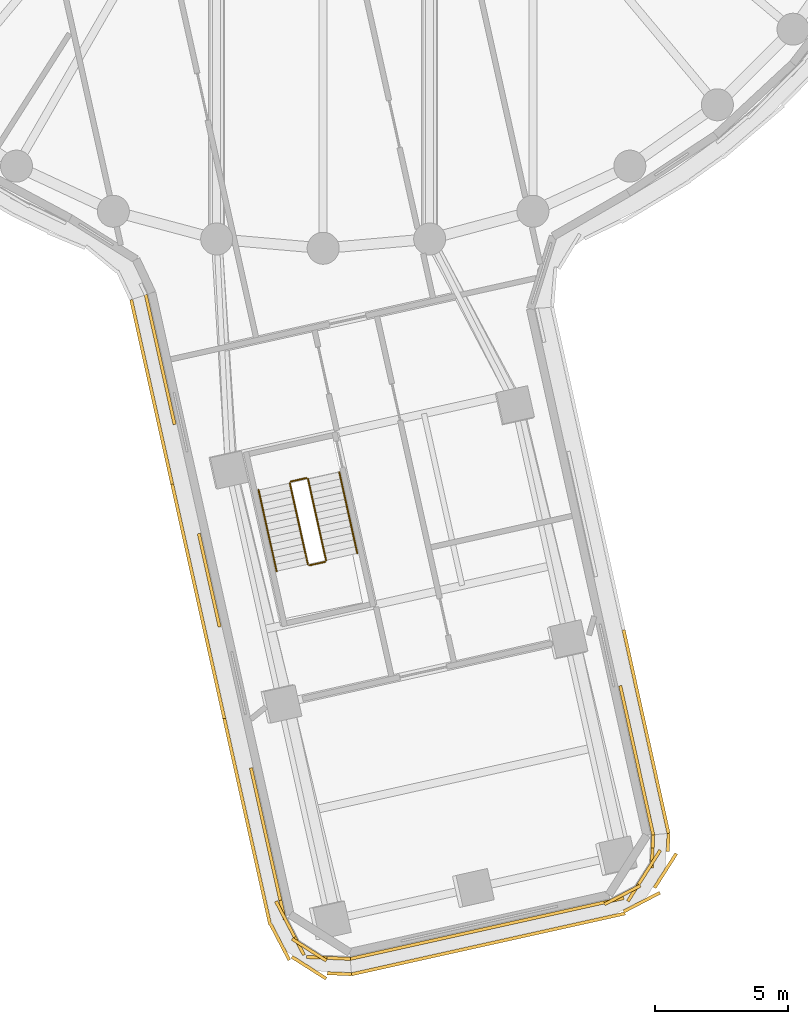
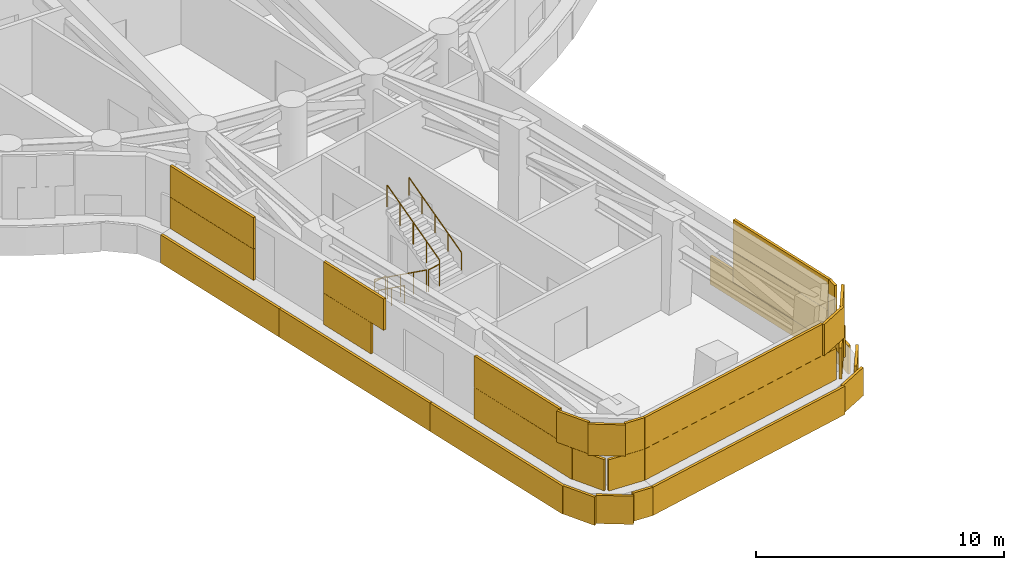
# One storey, part 16 of 22: 6 railings, 5 coverings.
"""IFC4 building model written with IfcOpenShell, lengths in metres."""

from ifc_helpers import new_model, si_unit, direction, frame, origin, origin_2d, place, context, subcontext, project, spatial, rectangle, circle, extrude, material, layer, layer_set, type_object, element, save


model = new_model("IFC4")

# Units and contexts
model_context = context("Model", 3, precision=1e-05, world=origin(), true_north=direction((0.0, 1.0)))
body_context = subcontext(model_context, "Body", "Model", "MODEL_VIEW")
ifc_project = project(units=[si_unit("LENGTHUNIT", "METRE"), si_unit("AREAUNIT", "SQUARE_METRE"), si_unit("VOLUMEUNIT", "CUBIC_METRE"), si_unit("PLANEANGLEUNIT", "RADIAN"), si_unit("MASSUNIT", "GRAM", prefix="KILO")], contexts=[model_context])

# Site, building, storey
site_placement = place(None, origin())
site = spatial("IfcSite", under=ifc_project, at=site_placement, CompositionType="ELEMENT")
building_placement = place(site_placement, origin())
building = spatial("IfcBuilding", under=site, at=building_placement, Name="Tamarind Cross Interchange Tower", CompositionType="ELEMENT")
storey_placement = place(building_placement, frame((0.0, 0.0, 79.0)))
storey = spatial("IfcBuildingStorey", under=building, at=storey_placement, Name="L18", CompositionType="ELEMENT", Elevation=79.0)

# Railings
ifc_material_1 = material(Name="Stair guard")
railing_type_1 = type_object("IfcRailingType", Name="Stair guard", PredefinedType="GUARDRAIL", material=ifc_material_1)
railing_1_placement = place(storey_placement, frame((-1.251220703125, -31.805419921875, 0.173095703125)))
element("IfcRailing", 1, at=railing_1_placement, inside=storey, type_object=railing_type_1, Name="L18 ST6 stair guard 1", PredefinedType="GUARDRAIL", context=body_context, shape_type="SweptSolid", body=[
    extrude(circle(Radius=0.02392578125, at=origin_2d()), frame((0.0, 0.0, 1.076171875), z_axis=(0.180690828356, -0.812587629324, 0.554122882778), x_axis=(0.976157592696, 0.217063019009, 0.0)), (0.0, 0.0, 1.0), 3.748046875),
    extrude(circle(Radius=0.02099609375, at=origin_2d()), origin(), (0.0, 0.0, 1.0), 1.052001953125),
    extrude(circle(Radius=0.02099609375, at=origin_2d()), frame((0.16943359375, -0.761474609375, 0.519287109375)), (0.0, 0.0, 1.0), 1.052001953125),
    extrude(circle(Radius=0.02099609375, at=origin_2d()), frame((0.338623046875, -1.52294921875, 1.03857421875)), (0.0, 0.0, 1.0), 1.052001953125),
    extrude(circle(Radius=0.02099609375, at=origin_2d()), frame((0.5078125, -2.2841796875, 1.5576171875)), (0.0, 0.0, 1.0), 1.052001953125),
    extrude(circle(Radius=0.02099609375, at=origin_2d()), frame((0.67724609375, -3.045654296875, 2.076904296875)), (0.0, 0.0, 1.0), 1.052001953125),
])
railing_2_placement = place(storey_placement, frame((-0.514404296875, -34.888916015625, 2.25)))
element("IfcRailing", 2, at=railing_2_placement, inside=storey, type_object=railing_type_1, Name="L18 ST6 stair guard 2", PredefinedType="GUARDRAIL", context=body_context, shape_type="SweptSolid", body=[
    extrude(circle(Radius=0.02392578125, at=origin_2d()), frame((0.0, 0.0, 1.076171875), z_axis=(0.976196633778, 0.216887372157, 0.0), x_axis=(-0.216887372157, 0.976196633778, 0.0)), (0.0, 0.0, 1.0), 0.599853515625),
    extrude(circle(Radius=0.02099609375, at=origin_2d()), origin(), (0.0, 0.0, 1.0), 1.052001953125),
    extrude(circle(Radius=0.02099609375, at=origin_2d()), frame((0.585693359375, 0.130126953125, 0.0)), (0.0, 0.0, 1.0), 1.052001953125),
])
railing_3_placement = place(storey_placement, frame((0.109375, -34.698974609375, 2.423095703125)))
element("IfcRailing", 3, at=railing_3_placement, inside=storey, type_object=railing_type_1, Name="L18 ST6 stair guard 3", PredefinedType="GUARDRAIL", context=body_context, shape_type="SweptSolid", body=[
    extrude(circle(Radius=0.02392578125, at=origin_2d()), frame((0.0, 0.0, 1.076171875), z_axis=(-0.180700392653, 0.812565500343, 0.554152213518), x_axis=(-0.976153905461, -0.217079600269, 0.0)), (0.0, 0.0, 1.0), 3.747802734375),
    extrude(circle(Radius=0.02099609375, at=origin_2d()), origin(), (0.0, 0.0, 1.0), 1.052001953125),
    extrude(circle(Radius=0.02099609375, at=origin_2d()), frame((-0.16943359375, 0.76123046875, 0.519287109375)), (0.0, 0.0, 1.0), 1.052001953125),
    extrude(circle(Radius=0.02099609375, at=origin_2d()), frame((-0.338623046875, 1.522705078125, 1.03857421875)), (0.0, 0.0, 1.0), 1.052001953125),
    extrude(circle(Radius=0.02099609375, at=origin_2d()), frame((-0.5078125, 2.2841796875, 1.5576171875)), (0.0, 0.0, 1.0), 1.052001953125),
    extrude(circle(Radius=0.02099609375, at=origin_2d()), frame((-0.67724609375, 3.04541015625, 2.076904296875)), (0.0, 0.0, 1.0), 1.052001953125),
])
railing_4_placement = place(storey_placement, frame((-1.21337890625, -31.745849609375, 0.0)))
element("IfcRailing", 4, at=railing_4_placement, inside=storey, type_object=railing_type_1, Name="L18 ST6 stair guard 4", PredefinedType="GUARDRAIL", context=body_context, shape_type="SweptSolid", body=[
    extrude(circle(Radius=0.02392578125, at=origin_2d()), frame((0.0, 0.0, 1.076171875), z_axis=(0.976110409751, 0.21727509746, 0.0), x_axis=(-0.21727509746, 0.976110409751, 0.0)), (0.0, 0.0, 1.0), 0.60009765625),
    extrude(circle(Radius=0.02099609375, at=origin_2d()), origin(), (0.0, 0.0, 1.0), 1.052001953125),
    extrude(circle(Radius=0.02099609375, at=origin_2d()), frame((0.585693359375, 0.13037109375, 0.0)), (0.0, 0.0, 1.0), 1.052001953125),
])
ifc_material_2 = material(Name="Stair handrail")
railing_type_2 = type_object("IfcRailingType", Name="Stair handrail", PredefinedType="HANDRAIL", material=ifc_material_2)
railing_5_placement = place(storey_placement, frame((-2.422607421875, -32.06591796875, 0.173095703125)))
element("IfcRailing", 5, at=railing_5_placement, inside=storey, type_object=railing_type_2, Name="L18 ST6 stair handrail 1", PredefinedType="HANDRAIL", context=body_context, shape_type="SweptSolid", body=[
    extrude(circle(Radius=0.02392578125, at=origin_2d()), frame((0.0, 0.0, 0.8759765625), z_axis=(0.180690828356, -0.812587629324, 0.554122882778), x_axis=(0.976157592696, 0.217063019009, 0.0)), (0.0, 0.0, 1.0), 3.748046875),
    extrude(circle(Radius=0.02099609375, at=origin_2d()), origin(), (0.0, 0.0, 1.0), 0.851806640625),
    extrude(circle(Radius=0.02099609375, at=origin_2d()), frame((0.16943359375, -0.761474609375, 0.519287109375)), (0.0, 0.0, 1.0), 0.851806640625),
    extrude(circle(Radius=0.02099609375, at=origin_2d()), frame((0.338623046875, -1.52294921875, 1.03857421875)), (0.0, 0.0, 1.0), 0.851806640625),
    extrude(circle(Radius=0.02099609375, at=origin_2d()), frame((0.5078125, -2.2841796875, 1.5576171875)), (0.0, 0.0, 1.0), 0.851806640625),
    extrude(circle(Radius=0.02099609375, at=origin_2d()), frame((0.67724609375, -3.045654296875, 2.076904296875)), (0.0, 0.0, 1.0), 0.851806640625),
])
railing_6_placement = place(storey_placement, frame((1.28076171875, -34.4384765625, 2.423095703125)))
element("IfcRailing", 6, at=railing_6_placement, inside=storey, type_object=railing_type_2, Name="L18 ST6 stair handrail 2", PredefinedType="HANDRAIL", context=body_context, shape_type="SweptSolid", body=[
    extrude(circle(Radius=0.02392578125, at=origin_2d()), frame((0.0, 0.0, 0.8759765625), z_axis=(-0.180700392653, 0.812565500343, 0.554152213518), x_axis=(-0.976153905461, -0.217079600269, 0.0)), (0.0, 0.0, 1.0), 3.747802734375),
    extrude(circle(Radius=0.02099609375, at=origin_2d()), origin(), (0.0, 0.0, 1.0), 0.851806640625),
    extrude(circle(Radius=0.02099609375, at=origin_2d()), frame((-0.16943359375, 0.76123046875, 0.519287109375)), (0.0, 0.0, 1.0), 0.851806640625),
    extrude(circle(Radius=0.02099609375, at=origin_2d()), frame((-0.338623046875, 1.522705078125, 1.03857421875)), (0.0, 0.0, 1.0), 0.851806640625),
    extrude(circle(Radius=0.02099609375, at=origin_2d()), frame((-0.5078125, 2.2841796875, 1.5576171875)), (0.0, 0.0, 1.0), 0.851806640625),
    extrude(circle(Radius=0.02099609375, at=origin_2d()), frame((-0.67724609375, 3.04541015625, 2.076904296875)), (0.0, 0.0, 1.0), 0.851806640625),
])

# Coverings
ifc_material_3 = material(Name="Terracotta", Category="masonry")
ifc_layer = layer(ifc_material_3, 0.1201171875)
ifc_layer_set = layer_set([ifc_layer], Name="Terracotta")
covering_type = type_object("IfcCoveringType", Name="Terracotta baguette screen unit", PredefinedType="MOLDING", material=ifc_layer_set)
covering_1_placement = place(storey_placement, origin())
element("IfcCovering", 7, at=covering_1_placement, inside=storey, type_object=covering_type, Name="SCR-L18-03-00", PredefinedType="MOLDING", context=body_context, shape_type="SweptSolid", body=[
    extrude(rectangle(XDim=1.510009765625, YDim=0.1201171875, at=origin_2d()), frame((-6.490478515625, -25.474853515625, 1.404052734375), z_axis=(0.0, 0.0, 1.0), x_axis=(0.217080255487, -0.976153759752, 0.0)), (0.0, 0.0, 1.0), 1.5419921875),
    extrude(rectangle(XDim=1.52001953125, YDim=0.1201171875, at=origin_2d()), frame((-6.164794921875, -26.939208984375, 1.404052734375), z_axis=(0.0, 0.0, 1.0), x_axis=(0.217080255487, -0.976153759752, 0.0)), (0.0, 0.0, 1.0), 1.5419921875),
    extrude(rectangle(XDim=1.52001953125, YDim=0.1201171875, at=origin_2d()), frame((-5.839111328125, -28.4033203125, 1.404052734375), z_axis=(0.0, 0.0, 1.0), x_axis=(0.217080255487, -0.976153759752, 0.0)), (0.0, 0.0, 1.0), 1.5419921875),
    extrude(rectangle(XDim=0.487548828125, YDim=0.1201171875, at=origin_2d()), frame((-5.62451171875, -29.368408203125, 1.404052734375), z_axis=(0.0, 0.0, 1.0), x_axis=(0.217080255487, -0.976153759752, 0.0)), (0.0, 0.0, 1.0), 1.5419921875),
    extrude(rectangle(XDim=0.760009765625, YDim=0.1201171875, at=origin_2d()), frame((-6.57177734375, -25.10888671875, 2.9541015625), z_axis=(0.0, 0.0, 1.0), x_axis=(0.217080255487, -0.976153759752, 0.0)), (0.0, 0.0, 1.0), 1.5419921875),
    extrude(rectangle(XDim=1.52001953125, YDim=0.1201171875, at=origin_2d()), frame((-6.32763671875, -26.20703125, 2.9541015625), z_axis=(0.0, 0.0, 1.0), x_axis=(0.217080255487, -0.976153759752, 0.0)), (0.0, 0.0, 1.0), 1.5419921875),
    extrude(rectangle(XDim=1.52001953125, YDim=0.1201171875, at=origin_2d()), frame((-6.001953125, -27.671142578125, 2.9541015625), z_axis=(0.0, 0.0, 1.0), x_axis=(0.217080255487, -0.976153759752, 0.0)), (0.0, 0.0, 1.0), 1.5419921875),
    extrude(rectangle(XDim=1.237548828125, YDim=0.1201171875, at=origin_2d()), frame((-5.7060546875, -29.00244140625, 2.9541015625), z_axis=(0.0, 0.0, 1.0), x_axis=(0.217080255487, -0.976153759752, 0.0)), (0.0, 0.0, 1.0), 1.5419921875),
    extrude(rectangle(XDim=1.510009765625, YDim=0.1201171875, at=origin_2d()), frame((-7.03564453125, -25.6669921875, 0.00390625), z_axis=(0.0, 0.0, 1.0), x_axis=(0.217080255487, -0.976153759752, 0.0)), (0.0, 0.0, 1.0), 1.39208984375),
    extrude(rectangle(XDim=1.52001953125, YDim=0.1201171875, at=origin_2d()), frame((-6.711181640625, -27.126220703125, 0.00390625), z_axis=(0.0, 0.0, 1.0), x_axis=(0.217080255487, -0.976153759752, 0.0)), (0.0, 0.0, 1.0), 1.39208984375),
    extrude(rectangle(XDim=1.52001953125, YDim=0.1201171875, at=origin_2d()), frame((-6.385498046875, -28.590576171875, 0.00390625), z_axis=(0.0, 0.0, 1.0), x_axis=(0.217080255487, -0.976153759752, 0.0)), (0.0, 0.0, 1.0), 1.39208984375),
    extrude(rectangle(XDim=1.52001953125, YDim=0.1201171875, at=origin_2d()), frame((-6.06005859375, -30.0546875, 0.00390625), z_axis=(0.0, 0.0, 1.0), x_axis=(0.217080255487, -0.976153759752, 0.0)), (0.0, 0.0, 1.0), 1.39208984375),
    extrude(rectangle(XDim=1.0908203125, YDim=0.1201171875, at=origin_2d()), frame((-5.781005859375, -31.3095703125, 0.00390625), z_axis=(0.0, 0.0, 1.0), x_axis=(0.217080255487, -0.976153759752, 0.0)), (0.0, 0.0, 1.0), 1.39208984375),
])
covering_2_placement = place(storey_placement, origin())
element("IfcCovering", 8, at=covering_2_placement, inside=storey, type_object=covering_type, Name="SCR-L18-03-01", PredefinedType="MOLDING", context=body_context, shape_type="SweptSolid", body=[
    extrude(rectangle(XDim=1.33251953125, YDim=0.1201171875, at=origin_2d()), frame((-4.517578125, -34.346923828125, 1.404052734375), z_axis=(0.0, 0.0, 1.0), x_axis=(0.217080255487, -0.976153759752, 0.0)), (0.0, 0.0, 1.0), 1.5419921875),
    extrude(rectangle(XDim=1.52001953125, YDim=0.1201171875, at=origin_2d()), frame((-4.211181640625, -35.724365234375, 1.404052734375), z_axis=(0.0, 0.0, 1.0), x_axis=(0.217080255487, -0.976153759752, 0.0)), (0.0, 0.0, 1.0), 1.5419921875),
    extrude(rectangle(XDim=0.58251953125, YDim=0.1201171875, at=origin_2d()), frame((-4.598876953125, -33.980712890625, 2.9541015625), z_axis=(0.0, 0.0, 1.0), x_axis=(0.217080255487, -0.976153759752, 0.0)), (0.0, 0.0, 1.0), 1.5419921875),
    extrude(rectangle(XDim=1.52001953125, YDim=0.1201171875, at=origin_2d()), frame((-4.3740234375, -34.992431640625, 2.9541015625), z_axis=(0.0, 0.0, 1.0), x_axis=(0.217080255487, -0.976153759752, 0.0)), (0.0, 0.0, 1.0), 1.5419921875),
    extrude(rectangle(XDim=1.52001953125, YDim=0.1201171875, at=origin_2d()), frame((-4.04833984375, -36.45654296875, 2.9541015625), z_axis=(0.0, 0.0, 1.0), x_axis=(0.217080255487, -0.976153759752, 0.0)), (0.0, 0.0, 1.0), 1.5419921875),
    extrude(rectangle(XDim=0.42919921875, YDim=0.1201171875, at=origin_2d()), frame((-5.615966796875, -32.051513671875, 0.00390625), z_axis=(0.0, 0.0, 1.0), x_axis=(0.217080255487, -0.976153759752, 0.0)), (0.0, 0.0, 1.0), 1.39208984375),
    extrude(rectangle(XDim=1.52001953125, YDim=0.1201171875, at=origin_2d()), frame((-5.40869140625, -32.983154296875, 0.00390625), z_axis=(0.0, 0.0, 1.0), x_axis=(0.217080255487, -0.976153759752, 0.0)), (0.0, 0.0, 1.0), 1.39208984375),
    extrude(rectangle(XDim=1.52001953125, YDim=0.1201171875, at=origin_2d()), frame((-5.0830078125, -34.447509765625, 0.00390625), z_axis=(0.0, 0.0, 1.0), x_axis=(0.217080255487, -0.976153759752, 0.0)), (0.0, 0.0, 1.0), 1.39208984375),
    extrude(rectangle(XDim=1.52001953125, YDim=0.1201171875, at=origin_2d()), frame((-4.757568359375, -35.91162109375, 0.00390625), z_axis=(0.0, 0.0, 1.0), x_axis=(0.217080255487, -0.976153759752, 0.0)), (0.0, 0.0, 1.0), 1.39208984375),
    extrude(rectangle(XDim=1.52001953125, YDim=0.1201171875, at=origin_2d()), frame((-4.431884765625, -37.3759765625, 0.00390625), z_axis=(0.0, 0.0, 1.0), x_axis=(0.217080255487, -0.976153759752, 0.0)), (0.0, 0.0, 1.0), 1.39208984375),
    extrude(rectangle(XDim=1.52001953125, YDim=0.1201171875, at=origin_2d()), frame((-4.106201171875, -38.840087890625, 0.00390625), z_axis=(0.0, 0.0, 1.0), x_axis=(0.217080255487, -0.976153759752, 0.0)), (0.0, 0.0, 1.0), 1.39208984375),
    extrude(rectangle(XDim=1.095947265625, YDim=0.1201171875, at=origin_2d()), frame((-3.82666015625, -40.097412109375, 0.00390625), z_axis=(0.0, 0.0, 1.0), x_axis=(0.217080255487, -0.976153759752, 0.0)), (0.0, 0.0, 1.0), 1.39208984375),
])
covering_3_placement = place(storey_placement, origin())
element("IfcCovering", 9, at=covering_3_placement, inside=storey, type_object=covering_type, Name="SCR-L18-03-02", PredefinedType="MOLDING", context=body_context, shape_type="SweptSolid", body=[
    extrude(rectangle(XDim=1.331787109375, YDim=0.1201171875, at=origin_2d()), frame((-2.563720703125, -43.132568359375, 1.404052734375), z_axis=(0.0, 0.0, 1.0), x_axis=(0.217080255487, -0.976153759752, 0.0)), (0.0, 0.0, 1.0), 1.5419921875),
    extrude(rectangle(XDim=1.52001953125, YDim=0.1201171875, at=origin_2d()), frame((-2.25732421875, -44.509765625, 1.404052734375), z_axis=(0.0, 0.0, 1.0), x_axis=(0.217080255487, -0.976153759752, 0.0)), (0.0, 0.0, 1.0), 1.5419921875),
    extrude(rectangle(XDim=1.52001953125, YDim=0.1201171875, at=origin_2d()), frame((-1.931884765625, -45.97412109375, 1.404052734375), z_axis=(0.0, 0.0, 1.0), x_axis=(0.217080255487, -0.976153759752, 0.0)), (0.0, 0.0, 1.0), 1.5419921875),
    extrude(rectangle(XDim=1.52001953125, YDim=0.1201171875, at=origin_2d()), frame((-1.606201171875, -47.438232421875, 1.404052734375), z_axis=(0.0, 0.0, 1.0), x_axis=(0.217080255487, -0.976153759752, 0.0)), (0.0, 0.0, 1.0), 1.5419921875),
    extrude(rectangle(XDim=1.52001953125, YDim=0.1201171875, at=origin_2d()), frame((-1.0712890625, -48.826171875, 1.404052734375), z_axis=(0.0, 0.0, 1.0), x_axis=(0.462330609125, -0.886707622538, 0.0)), (0.0, 0.0, 1.0), 1.5419921875),
    extrude(rectangle(XDim=1.52001953125, YDim=0.1201171875, at=origin_2d()), frame((0.141845703125, -49.60986328125, 1.404052734375), z_axis=(0.0, 0.0, 1.0), x_axis=(0.999076631409, -0.04296375882, 0.0)), (0.0, 0.0, 1.0), 1.5419921875),
    extrude(rectangle(XDim=0.133056640625, YDim=0.1201171875, at=origin_2d()), frame((0.95263671875, -49.644775390625, 1.404052734375), z_axis=(0.0, 0.0, 1.0), x_axis=(0.999076631409, -0.04296375882, 0.0)), (0.0, 0.0, 1.0), 1.5419921875),
    extrude(rectangle(XDim=0.581787109375, YDim=0.1201171875, at=origin_2d()), frame((-2.64501953125, -42.7666015625, 2.9541015625), z_axis=(0.0, 0.0, 1.0), x_axis=(0.217080255487, -0.976153759752, 0.0)), (0.0, 0.0, 1.0), 1.5419921875),
    extrude(rectangle(XDim=1.52001953125, YDim=0.1201171875, at=origin_2d()), frame((-2.420166015625, -43.77783203125, 2.9541015625), z_axis=(0.0, 0.0, 1.0), x_axis=(0.217080255487, -0.976153759752, 0.0)), (0.0, 0.0, 1.0), 1.5419921875),
    extrude(rectangle(XDim=1.52001953125, YDim=0.1201171875, at=origin_2d()), frame((-2.094482421875, -45.241943359375, 2.9541015625), z_axis=(0.0, 0.0, 1.0), x_axis=(0.217080255487, -0.976153759752, 0.0)), (0.0, 0.0, 1.0), 1.5419921875),
    extrude(rectangle(XDim=1.52001953125, YDim=0.1201171875, at=origin_2d()), frame((-1.76904296875, -46.706298828125, 2.9541015625), z_axis=(0.0, 0.0, 1.0), x_axis=(0.217080255487, -0.976153759752, 0.0)), (0.0, 0.0, 1.0), 1.5419921875),
    extrude(rectangle(XDim=1.52001953125, YDim=0.1201171875, at=origin_2d()), frame((-1.41796875, -48.1611328125, 2.9541015625), z_axis=(0.0, 0.0, 1.0), x_axis=(0.462330609125, -0.886707622538, 0.0)), (0.0, 0.0, 1.0), 1.5419921875),
    extrude(rectangle(XDim=1.52001953125, YDim=0.1201171875, at=origin_2d()), frame((-0.521728515625, -49.30517578125, 2.9541015625), z_axis=(0.0, 0.0, 1.0), x_axis=(0.843743863718, -0.536746022285, 0.0)), (0.0, 0.0, 1.0), 1.5419921875),
    extrude(rectangle(XDim=0.883056640625, YDim=0.1201171875, at=origin_2d()), frame((0.577880859375, -49.628662109375, 2.9541015625), z_axis=(0.0, 0.0, 1.0), x_axis=(0.999076631409, -0.04296375882, 0.0)), (0.0, 0.0, 1.0), 1.5419921875),
    extrude(rectangle(XDim=0.424072265625, YDim=0.1201171875, at=origin_2d()), frame((-3.66162109375, -40.83935546875, 0.00390625), z_axis=(0.0, 0.0, 1.0), x_axis=(0.217080255487, -0.976153759752, 0.0)), (0.0, 0.0, 1.0), 1.39208984375),
    extrude(rectangle(XDim=1.52001953125, YDim=0.1201171875, at=origin_2d()), frame((-3.455078125, -41.7685546875, 0.00390625), z_axis=(0.0, 0.0, 1.0), x_axis=(0.217080255487, -0.976153759752, 0.0)), (0.0, 0.0, 1.0), 1.39208984375),
    extrude(rectangle(XDim=1.52001953125, YDim=0.1201171875, at=origin_2d()), frame((-3.12939453125, -43.23291015625, 0.00390625), z_axis=(0.0, 0.0, 1.0), x_axis=(0.217080255487, -0.976153759752, 0.0)), (0.0, 0.0, 1.0), 1.39208984375),
    extrude(rectangle(XDim=1.52001953125, YDim=0.1201171875, at=origin_2d()), frame((-2.8037109375, -44.697021484375, 0.00390625), z_axis=(0.0, 0.0, 1.0), x_axis=(0.217080255487, -0.976153759752, 0.0)), (0.0, 0.0, 1.0), 1.39208984375),
    extrude(rectangle(XDim=1.52001953125, YDim=0.1201171875, at=origin_2d()), frame((-2.478271484375, -46.161376953125, 0.00390625), z_axis=(0.0, 0.0, 1.0), x_axis=(0.217080255487, -0.976153759752, 0.0)), (0.0, 0.0, 1.0), 1.39208984375),
    extrude(rectangle(XDim=1.52001953125, YDim=0.1201171875, at=origin_2d()), frame((-2.152587890625, -47.62548828125, 0.00390625), z_axis=(0.0, 0.0, 1.0), x_axis=(0.217080255487, -0.976153759752, 0.0)), (0.0, 0.0, 1.0), 1.39208984375),
    extrude(rectangle(XDim=1.52001953125, YDim=0.1201171875, at=origin_2d()), frame((-1.62060546875, -49.014404296875, 0.00390625), z_axis=(0.0, 0.0, 1.0), x_axis=(0.462330609125, -0.886707622538, 0.0)), (0.0, 0.0, 1.0), 1.39208984375),
    extrude(rectangle(XDim=1.52001953125, YDim=0.1201171875, at=origin_2d()), frame((-0.530029296875, -49.980224609375, 0.00390625), z_axis=(0.0, 0.0, 1.0), x_axis=(0.843743863718, -0.536746022285, 0.0)), (0.0, 0.0, 1.0), 1.39208984375),
    extrude(rectangle(XDim=0.91064453125, YDim=0.1201171875, at=origin_2d()), frame((0.60986328125, -50.204345703125, 0.00390625), z_axis=(0.0, 0.0, 1.0), x_axis=(0.999076631409, -0.04296375882, 0.0)), (0.0, 0.0, 1.0), 1.39208984375),
])
covering_4_placement = place(storey_placement, origin())
element("IfcCovering", 10, at=covering_4_placement, inside=storey, type_object=covering_type, Name="SCR-L18-04-00", PredefinedType="MOLDING", context=body_context, shape_type="SweptSolid", body=[
    extrude(rectangle(XDim=1.510009765625, YDim=0.1201171875, at=origin_2d()), frame((1.74609375, -49.484619140625, 1.404052734375), z_axis=(0.0, 0.0, 1.0), x_axis=(0.976153759752, 0.217080255487, 0.0)), (0.0, 0.0, 1.0), 1.5419921875),
    extrude(rectangle(XDim=1.52001953125, YDim=0.1201171875, at=origin_2d()), frame((3.21044921875, -49.158935546875, 1.404052734375), z_axis=(0.0, 0.0, 1.0), x_axis=(0.976153759752, 0.217080255487, 0.0)), (0.0, 0.0, 1.0), 1.5419921875),
    extrude(rectangle(XDim=1.52001953125, YDim=0.1201171875, at=origin_2d()), frame((4.674560546875, -48.833251953125, 1.404052734375), z_axis=(0.0, 0.0, 1.0), x_axis=(0.976153759752, 0.217080255487, 0.0)), (0.0, 0.0, 1.0), 1.5419921875),
    extrude(rectangle(XDim=1.52001953125, YDim=0.1201171875, at=origin_2d()), frame((6.138916015625, -48.507568359375, 1.404052734375), z_axis=(0.0, 0.0, 1.0), x_axis=(0.976153759752, 0.217080255487, 0.0)), (0.0, 0.0, 1.0), 1.5419921875),
    extrude(rectangle(XDim=1.52001953125, YDim=0.1201171875, at=origin_2d()), frame((7.60302734375, -48.18212890625, 1.404052734375), z_axis=(0.0, 0.0, 1.0), x_axis=(0.976153759752, 0.217080255487, 0.0)), (0.0, 0.0, 1.0), 1.5419921875),
    extrude(rectangle(XDim=1.52001953125, YDim=0.1201171875, at=origin_2d()), frame((9.0673828125, -47.8564453125, 1.404052734375), z_axis=(0.0, 0.0, 1.0), x_axis=(0.976153759752, 0.217080255487, 0.0)), (0.0, 0.0, 1.0), 1.5419921875),
    extrude(rectangle(XDim=1.52001953125, YDim=0.1201171875, at=origin_2d()), frame((10.531494140625, -47.53076171875, 1.404052734375), z_axis=(0.0, 0.0, 1.0), x_axis=(0.976153759752, 0.217080255487, 0.0)), (0.0, 0.0, 1.0), 1.5419921875),
    extrude(rectangle(XDim=1.52001953125, YDim=0.1201171875, at=origin_2d()), frame((11.831787109375, -46.84521484375, 1.404052734375), z_axis=(0.0, 0.0, 1.0), x_axis=(0.536746022285, 0.843743863718, 0.0)), (0.0, 0.0, 1.0), 1.5419921875),
    extrude(rectangle(XDim=1.259521484375, YDim=0.1201171875, at=origin_2d()), frame((12.349365234375, -45.615966796875, 1.404052734375), z_axis=(0.0, 0.0, 1.0), x_axis=(0.04296375882, 0.999076631409, 0.0)), (0.0, 0.0, 1.0), 1.5419921875),
    extrude(rectangle(XDim=0.760009765625, YDim=0.1201171875, at=origin_2d()), frame((1.380126953125, -49.56591796875, 2.9541015625), z_axis=(0.0, 0.0, 1.0), x_axis=(0.976153759752, 0.217080255487, 0.0)), (0.0, 0.0, 1.0), 1.5419921875),
    extrude(rectangle(XDim=1.52001953125, YDim=0.1201171875, at=origin_2d()), frame((2.478271484375, -49.32177734375, 2.9541015625), z_axis=(0.0, 0.0, 1.0), x_axis=(0.976153759752, 0.217080255487, 0.0)), (0.0, 0.0, 1.0), 1.5419921875),
    extrude(rectangle(XDim=1.52001953125, YDim=0.1201171875, at=origin_2d()), frame((3.9423828125, -48.99609375, 2.9541015625), z_axis=(0.0, 0.0, 1.0), x_axis=(0.976153759752, 0.217080255487, 0.0)), (0.0, 0.0, 1.0), 1.5419921875),
    extrude(rectangle(XDim=1.52001953125, YDim=0.1201171875, at=origin_2d()), frame((5.40673828125, -48.67041015625, 2.9541015625), z_axis=(0.0, 0.0, 1.0), x_axis=(0.976153759752, 0.217080255487, 0.0)), (0.0, 0.0, 1.0), 1.5419921875),
    extrude(rectangle(XDim=1.52001953125, YDim=0.1201171875, at=origin_2d()), frame((6.870849609375, -48.3447265625, 2.9541015625), z_axis=(0.0, 0.0, 1.0), x_axis=(0.976153759752, 0.217080255487, 0.0)), (0.0, 0.0, 1.0), 1.5419921875),
    extrude(rectangle(XDim=1.52001953125, YDim=0.1201171875, at=origin_2d()), frame((8.335205078125, -48.019287109375, 2.9541015625), z_axis=(0.0, 0.0, 1.0), x_axis=(0.976153759752, 0.217080255487, 0.0)), (0.0, 0.0, 1.0), 1.5419921875),
    extrude(rectangle(XDim=1.52001953125, YDim=0.1201171875, at=origin_2d()), frame((9.79931640625, -47.693603515625, 2.9541015625), z_axis=(0.0, 0.0, 1.0), x_axis=(0.976153759752, 0.217080255487, 0.0)), (0.0, 0.0, 1.0), 1.5419921875),
    extrude(rectangle(XDim=1.52001953125, YDim=0.1201171875, at=origin_2d()), frame((11.220947265625, -47.251220703125, 2.9541015625), z_axis=(0.0, 0.0, 1.0), x_axis=(0.886707622538, 0.462330609125, 0.0)), (0.0, 0.0, 1.0), 1.5419921875),
    extrude(rectangle(XDim=1.52001953125, YDim=0.1201171875, at=origin_2d()), frame((12.234375, -46.21240234375, 2.9541015625), z_axis=(0.0, 0.0, 1.0), x_axis=(0.536746022285, 0.843743863718, 0.0)), (0.0, 0.0, 1.0), 1.5419921875),
    extrude(rectangle(XDim=0.509521484375, YDim=0.1201171875, at=origin_2d()), frame((12.365478515625, -45.2412109375, 2.9541015625), z_axis=(0.0, 0.0, 1.0), x_axis=(0.04296375882, 0.999076631409, 0.0)), (0.0, 0.0, 1.0), 1.5419921875),
    extrude(rectangle(XDim=1.510009765625, YDim=0.1201171875, at=origin_2d()), frame((1.8017578125, -50.06005859375, 0.00390625), z_axis=(0.0, 0.0, 1.0), x_axis=(0.976153759752, 0.217080255487, 0.0)), (0.0, 0.0, 1.0), 1.39208984375),
    extrude(rectangle(XDim=1.52001953125, YDim=0.1201171875, at=origin_2d()), frame((3.26123046875, -49.735595703125, 0.00390625), z_axis=(0.0, 0.0, 1.0), x_axis=(0.976153759752, 0.217080255487, 0.0)), (0.0, 0.0, 1.0), 1.39208984375),
    extrude(rectangle(XDim=1.52001953125, YDim=0.1201171875, at=origin_2d()), frame((4.725341796875, -49.409912109375, 0.00390625), z_axis=(0.0, 0.0, 1.0), x_axis=(0.976153759752, 0.217080255487, 0.0)), (0.0, 0.0, 1.0), 1.39208984375),
    extrude(rectangle(XDim=1.52001953125, YDim=0.1201171875, at=origin_2d()), frame((6.189697265625, -49.08447265625, 0.00390625), z_axis=(0.0, 0.0, 1.0), x_axis=(0.976153759752, 0.217080255487, 0.0)), (0.0, 0.0, 1.0), 1.39208984375),
    extrude(rectangle(XDim=1.52001953125, YDim=0.1201171875, at=origin_2d()), frame((7.65380859375, -48.7587890625, 0.00390625), z_axis=(0.0, 0.0, 1.0), x_axis=(0.976153759752, 0.217080255487, 0.0)), (0.0, 0.0, 1.0), 1.39208984375),
    extrude(rectangle(XDim=1.52001953125, YDim=0.1201171875, at=origin_2d()), frame((9.1181640625, -48.43310546875, 0.00390625), z_axis=(0.0, 0.0, 1.0), x_axis=(0.976153759752, 0.217080255487, 0.0)), (0.0, 0.0, 1.0), 1.39208984375),
    extrude(rectangle(XDim=1.52001953125, YDim=0.1201171875, at=origin_2d()), frame((10.582275390625, -48.107421875, 0.00390625), z_axis=(0.0, 0.0, 1.0), x_axis=(0.976153759752, 0.217080255487, 0.0)), (0.0, 0.0, 1.0), 1.39208984375),
    extrude(rectangle(XDim=1.52001953125, YDim=0.1201171875, at=origin_2d()), frame((11.950439453125, -47.518310546875, 0.00390625), z_axis=(0.0, 0.0, 1.0), x_axis=(0.886707622538, 0.462330609125, 0.0)), (0.0, 0.0, 1.0), 1.39208984375),
    extrude(rectangle(XDim=1.52001953125, YDim=0.1201171875, at=origin_2d()), frame((12.83447265625, -46.338623046875, 0.00390625), z_axis=(0.0, 0.0, 1.0), x_axis=(0.536746022285, 0.843743863718, 0.0)), (0.0, 0.0, 1.0), 1.39208984375),
    extrude(rectangle(XDim=0.6767578125, YDim=0.1201171875, at=origin_2d()), frame((12.938232421875, -45.279296875, 0.00390625), z_axis=(0.0, 0.0, 1.0), x_axis=(0.04296375882, 0.999076631409, 0.0)), (0.0, 0.0, 1.0), 1.39208984375),
])
covering_5_placement = place(storey_placement, origin())
element("IfcCovering", 11, at=covering_5_placement, inside=storey, type_object=covering_type, Name="SCR-L18-05-00", PredefinedType="MOLDING", context=body_context, shape_type="SweptSolid", body=[
    extrude(rectangle(XDim=1.510009765625, YDim=0.1201171875, at=origin_2d()), frame((12.21435546875, -44.25927734375, 1.404052734375), z_axis=(0.0, 0.0, 1.0), x_axis=(-0.21581969888, 0.976433232523, 0.0)), (0.0, 0.0, 1.0), 1.5419921875),
    extrude(rectangle(XDim=1.52001953125, YDim=0.1201171875, at=origin_2d()), frame((11.890625, -42.794677734375, 1.404052734375), z_axis=(0.0, 0.0, 1.0), x_axis=(-0.21581969888, 0.976433232523, 0.0)), (0.0, 0.0, 1.0), 1.5419921875),
    extrude(rectangle(XDim=1.52001953125, YDim=0.1201171875, at=origin_2d()), frame((11.56689453125, -41.330078125, 1.404052734375), z_axis=(0.0, 0.0, 1.0), x_axis=(-0.21581969888, 0.976433232523, 0.0)), (0.0, 0.0, 1.0), 1.5419921875),
    extrude(rectangle(XDim=1.2275390625, YDim=0.1201171875, at=origin_2d()), frame((11.273681640625, -40.00341796875, 1.404052734375), z_axis=(0.0, 0.0, 1.0), x_axis=(-0.21581969888, 0.976433232523, 0.0)), (0.0, 0.0, 1.0), 1.5419921875),
    extrude(rectangle(XDim=0.760009765625, YDim=0.1201171875, at=origin_2d()), frame((12.295166015625, -44.62548828125, 2.9541015625), z_axis=(0.0, 0.0, 1.0), x_axis=(-0.21581969888, 0.976433232523, 0.0)), (0.0, 0.0, 1.0), 1.5419921875),
    extrude(rectangle(XDim=1.52001953125, YDim=0.1201171875, at=origin_2d()), frame((12.052490234375, -43.527099609375, 2.9541015625), z_axis=(0.0, 0.0, 1.0), x_axis=(-0.21581969888, 0.976433232523, 0.0)), (0.0, 0.0, 1.0), 1.5419921875),
    extrude(rectangle(XDim=1.52001953125, YDim=0.1201171875, at=origin_2d()), frame((11.728759765625, -42.0625, 2.9541015625), z_axis=(0.0, 0.0, 1.0), x_axis=(-0.21581969888, 0.976433232523, 0.0)), (0.0, 0.0, 1.0), 1.5419921875),
    extrude(rectangle(XDim=1.52001953125, YDim=0.1201171875, at=origin_2d()), frame((11.405029296875, -40.59765625, 2.9541015625), z_axis=(0.0, 0.0, 1.0), x_axis=(-0.21581969888, 0.976433232523, 0.0)), (0.0, 0.0, 1.0), 1.5419921875),
    extrude(rectangle(XDim=0.4775390625, YDim=0.1201171875, at=origin_2d()), frame((11.192626953125, -39.63720703125, 2.9541015625), z_axis=(0.0, 0.0, 1.0), x_axis=(-0.21581969888, 0.976433232523, 0.0)), (0.0, 0.0, 1.0), 1.5419921875),
    extrude(rectangle(XDim=1.510009765625, YDim=0.1201171875, at=origin_2d()), frame((12.789794921875, -44.2041015625, 0.00390625), z_axis=(0.0, 0.0, 1.0), x_axis=(-0.21581969888, 0.976433232523, 0.0)), (0.0, 0.0, 1.0), 1.39208984375),
    extrude(rectangle(XDim=1.52001953125, YDim=0.1201171875, at=origin_2d()), frame((12.46728515625, -42.744384765625, 0.00390625), z_axis=(0.0, 0.0, 1.0), x_axis=(-0.21581969888, 0.976433232523, 0.0)), (0.0, 0.0, 1.0), 1.39208984375),
    extrude(rectangle(XDim=1.52001953125, YDim=0.1201171875, at=origin_2d()), frame((12.1435546875, -41.279541015625, 0.00390625), z_axis=(0.0, 0.0, 1.0), x_axis=(-0.21581969888, 0.976433232523, 0.0)), (0.0, 0.0, 1.0), 1.39208984375),
    extrude(rectangle(XDim=1.52001953125, YDim=0.1201171875, at=origin_2d()), frame((11.81982421875, -39.81494140625, 0.00390625), z_axis=(0.0, 0.0, 1.0), x_axis=(-0.21581969888, 0.976433232523, 0.0)), (0.0, 0.0, 1.0), 1.39208984375),
    extrude(rectangle(XDim=1.52001953125, YDim=0.1201171875, at=origin_2d()), frame((11.49609375, -38.350341796875, 0.00390625), z_axis=(0.0, 0.0, 1.0), x_axis=(-0.21581969888, 0.976433232523, 0.0)), (0.0, 0.0, 1.0), 1.39208984375),
    extrude(rectangle(XDim=0.3232421875, YDim=0.1201171875, at=origin_2d()), frame((11.301513671875, -37.469970703125, 0.00390625), z_axis=(0.0, 0.0, 1.0), x_axis=(-0.21581969888, 0.976433232523, 0.0)), (0.0, 0.0, 1.0), 1.39208984375),
])

save(model, "model.ifc")
